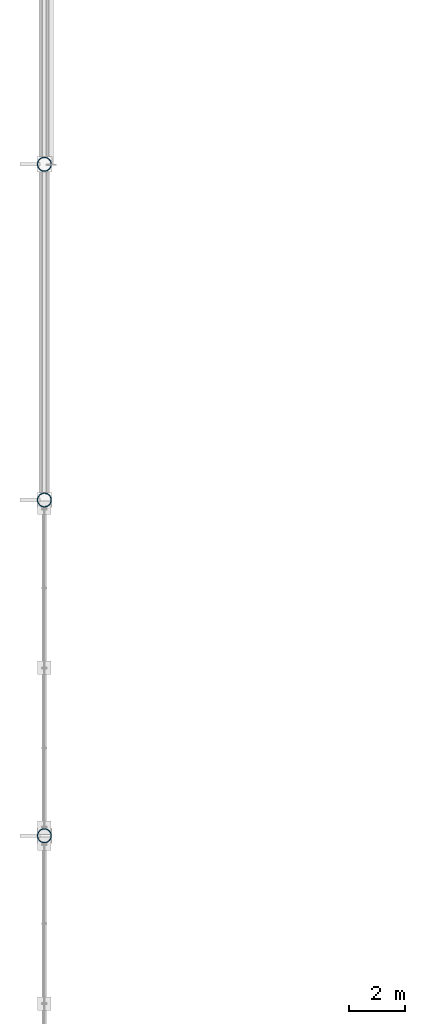
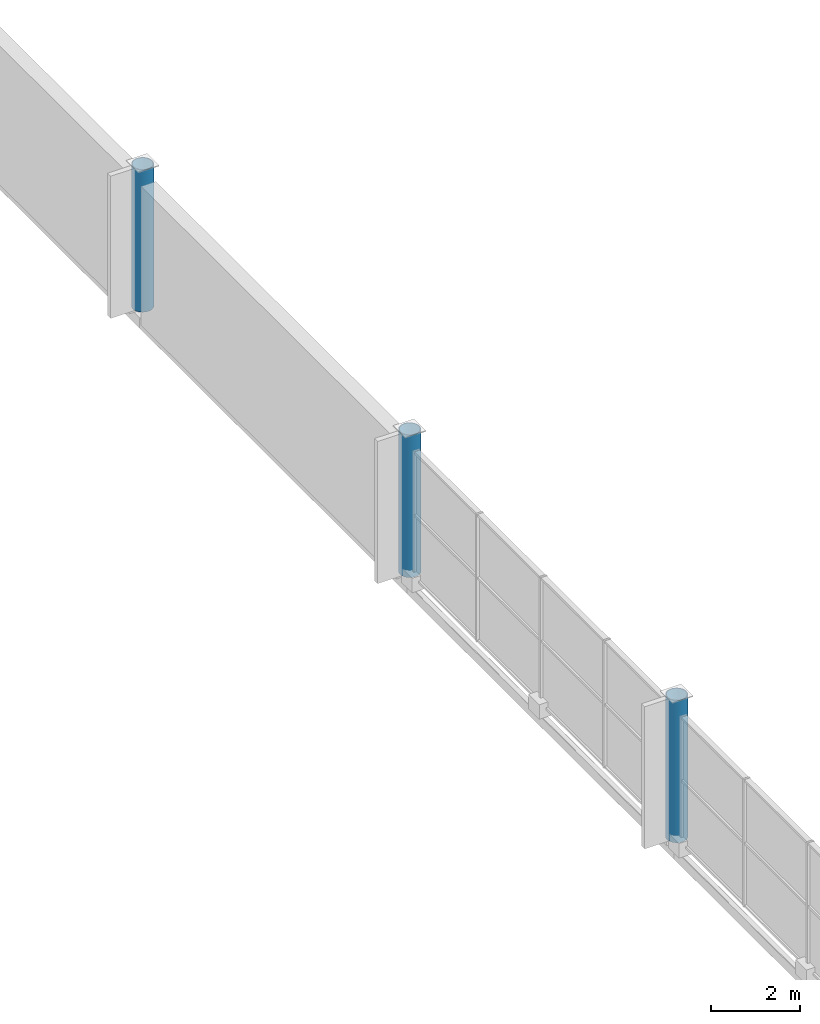
# One storey, part 8 of 117: 3 columns.
"""IFC4 building model written with IfcOpenShell, lengths in metres."""

from ifc_helpers import new_model, si_unit, direction, frame, origin, origin_2d, place, context, subcontext, project, spatial, hollow_circle, extrude, material, material_profile, profile_set, type_object, element, save


model = new_model("IFC4")

# Units and contexts
model_context = context("Model", 3, precision=1e-05, world=origin(), true_north=direction((0.0, 1.0)))
body_context = subcontext(model_context, "Body", "Model", "MODEL_VIEW")
ifc_project = project(units=[si_unit("LENGTHUNIT", "METRE"), si_unit("AREAUNIT", "SQUARE_METRE"), si_unit("VOLUMEUNIT", "CUBIC_METRE"), si_unit("PLANEANGLEUNIT", "RADIAN"), si_unit("MASSUNIT", "GRAM", prefix="KILO")], contexts=[model_context])

# Site, building, storey
site_placement = place(None, origin())
site = spatial("IfcSite", under=ifc_project, at=site_placement, CompositionType="ELEMENT")
building_placement = place(site_placement, origin())
building = spatial("IfcBuilding", under=site, at=building_placement, Name="Merenkruunu Market Hall", CompositionType="ELEMENT")
storey_placement = place(building_placement, frame((0.0, 0.0, 10.199951171875)))
storey = spatial("IfcBuildingStorey", under=building, at=storey_placement, Name="L02", CompositionType="ELEMENT", Elevation=10.199951171875)

# Columns
ifc_material = material(Name="Steel S355ML", Category="steel")
ifc_material_profile = material_profile(ifc_material, hollow_circle(Radius=0.25390625, WallThickness=0.02001953125, at=origin_2d()), Name="CHS 508x20")
ifc_profile_set = profile_set([ifc_material_profile], Name="Steel S355ML")
column_type = type_object("IfcColumnType", Name="Structural Column C11", PredefinedType="COLUMN", material=ifc_profile_set)
for number, where, z_axis, x_axis, name in (
    (1, (0.0, 63.60009765625, 0.0), (0.0, 0.0, 1.0), (1.0, 0.0, 0.0), "COL-L02-A-08"),
    (2, (0.0, 75.60009765625, 0.0), (0.0, 0.0, 1.0), (1.0, 0.0, 0.0), "COL-L02-A-09"),
    (3, (0.0, 87.60009765625, 0.0), (0.0, 0.0, 1.0), (1.0, 0.0, 0.0), "COL-L02-A-10"),
):
    element("IfcColumn", number, at=place(storey_placement, frame(where, z_axis=z_axis, x_axis=x_axis)), inside=storey, type_object=column_type, Name=name, PredefinedType="COLUMN", context=body_context, shape_type="SweptSolid", body=[
        extrude(hollow_circle(Radius=0.25390625, WallThickness=0.02001953125, at=origin_2d()), origin(), (0.0, 0.0, 1.0), 3.900146484375),
    ])

save(model, "model.ifc")
